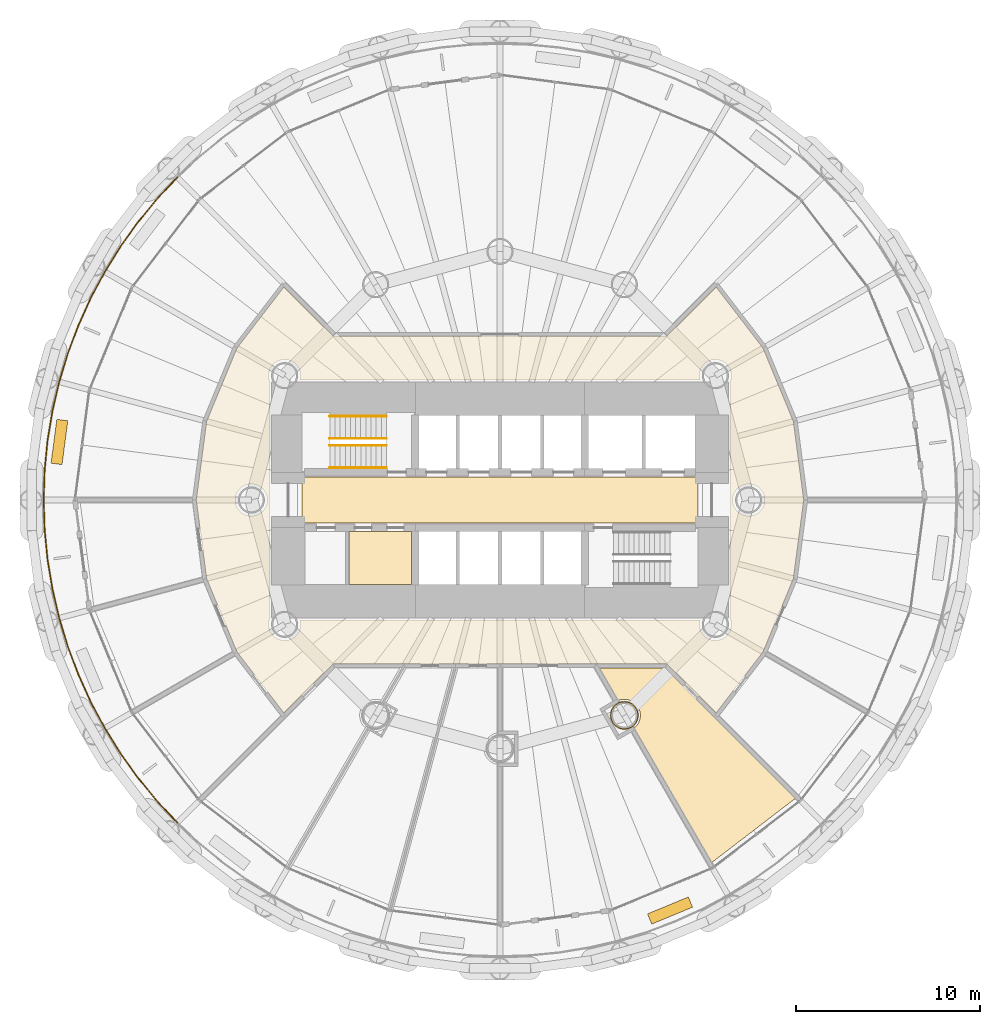
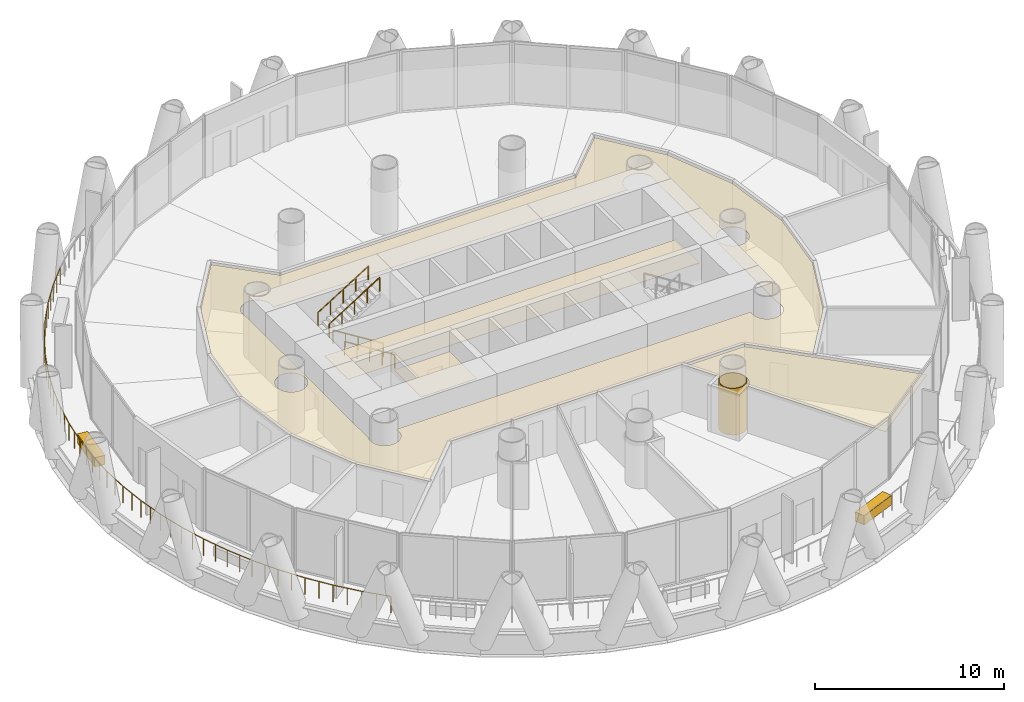
# One storey, part 14 of 16: 7 coverings, 5 railings.
"""IFC4 building model written with IfcOpenShell, lengths in metres."""

from ifc_helpers import new_model, si_unit, direction, frame, origin, origin_2d, place, context, subcontext, project, spatial, polyline, rectangle, circle, outline, extrude, material, layer, layer_set, type_object, element, save


model = new_model("IFC4")

# Units and contexts
model_context = context("Model", 3, precision=1e-05, world=origin(), true_north=direction((0.0, 1.0)))
body_context = subcontext(model_context, "Body", "Model", "MODEL_VIEW")
ifc_project = project(units=[si_unit("LENGTHUNIT", "METRE"), si_unit("AREAUNIT", "SQUARE_METRE"), si_unit("VOLUMEUNIT", "CUBIC_METRE"), si_unit("PLANEANGLEUNIT", "RADIAN"), si_unit("MASSUNIT", "GRAM", prefix="KILO")], contexts=[model_context])

# Site, building, storey
site_placement = place(None, origin())
site = spatial("IfcSite", under=ifc_project, at=site_placement, CompositionType="ELEMENT")
building_placement = place(site_placement, origin())
building = spatial("IfcBuilding", under=site, at=building_placement, Name="Qaws Media Tower", CompositionType="ELEMENT")
storey_placement = place(building_placement, frame((0.0, 0.0, 89.0)))
storey = spatial("IfcBuildingStorey", under=building, at=storey_placement, Name="L19", CompositionType="ELEMENT", Elevation=89.0)

# Railing
ifc_material_1 = material(Name="Stainless steel and glass guard", Category="steel")
railing_type_1 = type_object("IfcRailingType", Name="Balcony guard 1100", PredefinedType="GUARDRAIL", material=ifc_material_1)
railing_placement = place(storey_placement, frame((42.4814453125, 67.5185546875, 0.0)))
element("IfcRailing", 1, at=railing_placement, inside=storey, type_object=railing_type_1, Name="GR1 balcony guard L19-2", PredefinedType="GUARDRAIL", context=body_context, shape_type="SweptSolid", body=[
    extrude(circle(Radius=0.02392578125, at=origin_2d()), frame((0.0, 0.0, 1.076171875), z_axis=(-0.683535271096, -0.729917483807, 0.0), x_axis=(0.729917483807, -0.683535271096, 0.0)), (0.0, 0.0, 1.0), 1.62109375),
    extrude(circle(Radius=0.02392578125, at=origin_2d()), frame((-1.108154296875, -1.183349609375, 1.076171875), z_axis=(-0.634434295039, -0.772976794786, 0.0), x_axis=(0.772976794786, -0.634434295039, 0.0)), (0.0, 0.0, 1.0), 1.621337890625),
    extrude(circle(Radius=0.02392578125, at=origin_2d()), frame((-2.13671875, -2.4365234375, 1.076171875), z_axis=(-0.582462563942, -0.81285752848, 0.0), x_axis=(0.81285752848, -0.582462563942, 0.0)), (0.0, 0.0, 1.0), 1.621337890625),
    extrude(circle(Radius=0.02392578125, at=origin_2d()), frame((-3.0810546875, -3.75439453125, 1.076171875), z_axis=(-0.528116117163, -0.849172165578, 0.0), x_axis=(0.849172165578, -0.528116117163, 0.0)), (0.0, 0.0, 1.0), 1.621337890625),
    extrude(circle(Radius=0.02392578125, at=origin_2d()), frame((-3.937255859375, -5.131103515625, 1.076171875), z_axis=(-0.471385349721, -0.881927350788, 0.0), x_axis=(0.881927350788, -0.471385349721, 0.0)), (0.0, 0.0, 1.0), 1.62109375),
    extrude(circle(Radius=0.02392578125, at=origin_2d()), frame((-4.701416015625, -6.560791015625, 1.076171875), z_axis=(-0.412736233109, -0.910850592512, 0.0), x_axis=(0.910850592512, -0.412736233109, 0.0)), (0.0, 0.0, 1.0), 1.621337890625),
    extrude(circle(Radius=0.02392578125, at=origin_2d()), frame((-5.37060546875, -8.03759765625, 1.076171875), z_axis=(-0.352228895187, -0.93591388781, 0.0), x_axis=(0.93591388781, -0.352228895187, 0.0)), (0.0, 0.0, 1.0), 1.621337890625),
    extrude(circle(Radius=0.02392578125, at=origin_2d()), frame((-5.941650390625, -9.554931640625, 1.076171875), z_axis=(-0.290358482258, -0.956917944121, 0.0), x_axis=(0.956917944121, -0.290358482258, 0.0)), (0.0, 0.0, 1.0), 1.62109375),
    extrude(circle(Radius=0.02392578125, at=origin_2d()), frame((-6.412353515625, -11.106201171875, 1.076171875), z_axis=(-0.227058258382, -0.973881177198, 0.0), x_axis=(0.973881177198, -0.227058258382, 0.0)), (0.0, 0.0, 1.0), 1.621337890625),
    extrude(circle(Radius=0.02392578125, at=origin_2d()), frame((-6.780517578125, -12.685302734375, 1.076171875), z_axis=(-0.162811245678, -0.986657234444, 0.0), x_axis=(0.986657234444, -0.162811245678, 0.0)), (0.0, 0.0, 1.0), 1.62109375),
    extrude(circle(Radius=0.02392578125, at=origin_2d()), frame((-7.04443359375, -14.28466796875, 1.076171875), z_axis=(-0.09802762667, -0.995183693802, 0.0), x_axis=(0.995183693802, -0.09802762667, 0.0)), (0.0, 0.0, 1.0), 1.621337890625),
    extrude(circle(Radius=0.02392578125, at=origin_2d()), frame((-7.203369140625, -15.898193359375, 1.076171875), z_axis=(-0.032678033284, -0.999465930455, 0.0), x_axis=(0.999465930455, -0.032678033284, 0.0)), (0.0, 0.0, 1.0), 1.621337890625),
    extrude(circle(Radius=0.02392578125, at=origin_2d()), frame((-7.25634765625, -17.5185546875, 1.076171875), z_axis=(0.032678033284, -0.999465930455, 0.0), x_axis=(0.999465930455, 0.032678033284, 0.0)), (0.0, 0.0, 1.0), 1.621337890625),
    extrude(circle(Radius=0.02392578125, at=origin_2d()), frame((-7.203369140625, -19.138916015625, 1.076171875), z_axis=(0.09802762667, -0.995183693802, 0.0), x_axis=(0.995183693802, 0.09802762667, 0.0)), (0.0, 0.0, 1.0), 1.621337890625),
    extrude(circle(Radius=0.02392578125, at=origin_2d()), frame((-7.04443359375, -20.75244140625, 1.076171875), z_axis=(0.162811245678, -0.986657234444, 0.0), x_axis=(0.986657234444, 0.162811245678, 0.0)), (0.0, 0.0, 1.0), 1.62109375),
    extrude(circle(Radius=0.02392578125, at=origin_2d()), frame((-6.780517578125, -22.351806640625, 1.076171875), z_axis=(0.227058258382, -0.973881177198, 0.0), x_axis=(0.973881177198, 0.227058258382, 0.0)), (0.0, 0.0, 1.0), 1.621337890625),
    extrude(circle(Radius=0.02392578125, at=origin_2d()), frame((-6.412353515625, -23.930908203125, 1.076171875), z_axis=(0.290358482258, -0.956917944121, 0.0), x_axis=(0.956917944121, 0.290358482258, 0.0)), (0.0, 0.0, 1.0), 1.62109375),
    extrude(circle(Radius=0.02392578125, at=origin_2d()), frame((-5.941650390625, -25.482177734375, 1.076171875), z_axis=(0.352228895187, -0.93591388781, 0.0), x_axis=(0.93591388781, 0.352228895187, 0.0)), (0.0, 0.0, 1.0), 1.621337890625),
    extrude(circle(Radius=0.02392578125, at=origin_2d()), frame((-5.37060546875, -26.99951171875, 1.076171875), z_axis=(0.412736233109, -0.910850592512, 0.0), x_axis=(0.910850592512, 0.412736233109, 0.0)), (0.0, 0.0, 1.0), 1.621337890625),
    extrude(circle(Radius=0.02392578125, at=origin_2d()), frame((-4.701416015625, -28.476318359375, 1.076171875), z_axis=(0.471385349721, -0.881927350788, 0.0), x_axis=(0.881927350788, 0.471385349721, 0.0)), (0.0, 0.0, 1.0), 1.62109375),
    extrude(circle(Radius=0.02392578125, at=origin_2d()), frame((-3.937255859375, -29.906005859375, 1.076171875), z_axis=(0.528116117163, -0.849172165578, 0.0), x_axis=(0.849172165578, 0.528116117163, 0.0)), (0.0, 0.0, 1.0), 1.621337890625),
    extrude(circle(Radius=0.02392578125, at=origin_2d()), frame((-3.0810546875, -31.28271484375, 1.076171875), z_axis=(0.582462563942, -0.81285752848, 0.0), x_axis=(0.81285752848, 0.582462563942, 0.0)), (0.0, 0.0, 1.0), 1.621337890625),
    extrude(circle(Radius=0.02392578125, at=origin_2d()), frame((-2.13671875, -32.6005859375, 1.076171875), z_axis=(0.634434295039, -0.772976794786, 0.0), x_axis=(0.772976794786, 0.634434295039, 0.0)), (0.0, 0.0, 1.0), 1.621337890625),
    extrude(circle(Radius=0.02392578125, at=origin_2d()), frame((-1.108154296875, -33.853759765625, 1.076171875), z_axis=(0.683535271096, -0.729917483807, 0.0), x_axis=(0.729917483807, 0.683535271096, 0.0)), (0.0, 0.0, 1.0), 1.62109375),
    extrude(circle(Radius=0.02099609375, at=origin_2d()), origin(), (0.0, 0.0, 1.0), 1.052001953125),
    extrude(circle(Radius=0.02099609375, at=origin_2d()), frame((-0.55419921875, -0.591796875, 0.0)), (0.0, 0.0, 1.0), 1.052001953125),
    extrude(circle(Radius=0.02099609375, at=origin_2d()), frame((-1.108154296875, -1.183349609375, 0.0)), (0.0, 0.0, 1.0), 1.052001953125),
    extrude(circle(Radius=0.02099609375, at=origin_2d()), frame((-1.62255859375, -1.81005859375, 0.0)), (0.0, 0.0, 1.0), 1.052001953125),
    extrude(circle(Radius=0.02099609375, at=origin_2d()), frame((-2.13671875, -2.4365234375, 0.0)), (0.0, 0.0, 1.0), 1.052001953125),
    extrude(circle(Radius=0.02099609375, at=origin_2d()), frame((-2.60888671875, -3.095458984375, 0.0)), (0.0, 0.0, 1.0), 1.052001953125),
    extrude(circle(Radius=0.02099609375, at=origin_2d()), frame((-3.0810546875, -3.75439453125, 0.0)), (0.0, 0.0, 1.0), 1.052001953125),
    extrude(circle(Radius=0.02099609375, at=origin_2d()), frame((-3.50927734375, -4.44287109375, 0.0)), (0.0, 0.0, 1.0), 1.052001953125),
    extrude(circle(Radius=0.02099609375, at=origin_2d()), frame((-3.937255859375, -5.131103515625, 0.0)), (0.0, 0.0, 1.0), 1.052001953125),
    extrude(circle(Radius=0.02099609375, at=origin_2d()), frame((-4.3193359375, -5.845947265625, 0.0)), (0.0, 0.0, 1.0), 1.052001953125),
    extrude(circle(Radius=0.02099609375, at=origin_2d()), frame((-4.701416015625, -6.560791015625, 0.0)), (0.0, 0.0, 1.0), 1.052001953125),
    extrude(circle(Radius=0.02099609375, at=origin_2d()), frame((-5.0361328125, -7.29931640625, 0.0)), (0.0, 0.0, 1.0), 1.052001953125),
    extrude(circle(Radius=0.02099609375, at=origin_2d()), frame((-5.37060546875, -8.03759765625, 0.0)), (0.0, 0.0, 1.0), 1.052001953125),
    extrude(circle(Radius=0.02099609375, at=origin_2d()), frame((-5.65625, -8.79638671875, 0.0)), (0.0, 0.0, 1.0), 1.052001953125),
    extrude(circle(Radius=0.02099609375, at=origin_2d()), frame((-5.941650390625, -9.554931640625, 0.0)), (0.0, 0.0, 1.0), 1.052001953125),
    extrude(circle(Radius=0.02099609375, at=origin_2d()), frame((-6.177001953125, -10.33056640625, 0.0)), (0.0, 0.0, 1.0), 1.052001953125),
    extrude(circle(Radius=0.02099609375, at=origin_2d()), frame((-6.412353515625, -11.106201171875, 0.0)), (0.0, 0.0, 1.0), 1.052001953125),
    extrude(circle(Radius=0.02099609375, at=origin_2d()), frame((-6.596435546875, -11.895751953125, 0.0)), (0.0, 0.0, 1.0), 1.052001953125),
    extrude(circle(Radius=0.02099609375, at=origin_2d()), frame((-6.780517578125, -12.685302734375, 0.0)), (0.0, 0.0, 1.0), 1.052001953125),
    extrude(circle(Radius=0.02099609375, at=origin_2d()), frame((-6.91259765625, -13.48486328125, 0.0)), (0.0, 0.0, 1.0), 1.052001953125),
    extrude(circle(Radius=0.02099609375, at=origin_2d()), frame((-7.04443359375, -14.28466796875, 0.0)), (0.0, 0.0, 1.0), 1.052001953125),
    extrude(circle(Radius=0.02099609375, at=origin_2d()), frame((-7.1240234375, -15.09130859375, 0.0)), (0.0, 0.0, 1.0), 1.052001953125),
    extrude(circle(Radius=0.02099609375, at=origin_2d()), frame((-7.203369140625, -15.898193359375, 0.0)), (0.0, 0.0, 1.0), 1.052001953125),
    extrude(circle(Radius=0.02099609375, at=origin_2d()), frame((-7.22998046875, -16.70849609375, 0.0)), (0.0, 0.0, 1.0), 1.052001953125),
    extrude(circle(Radius=0.02099609375, at=origin_2d()), frame((-7.25634765625, -17.5185546875, 0.0)), (0.0, 0.0, 1.0), 1.052001953125),
    extrude(circle(Radius=0.02099609375, at=origin_2d()), frame((-7.22998046875, -18.32861328125, 0.0)), (0.0, 0.0, 1.0), 1.052001953125),
    extrude(circle(Radius=0.02099609375, at=origin_2d()), frame((-7.203369140625, -19.138916015625, 0.0)), (0.0, 0.0, 1.0), 1.052001953125),
    extrude(circle(Radius=0.02099609375, at=origin_2d()), frame((-7.1240234375, -19.94580078125, 0.0)), (0.0, 0.0, 1.0), 1.052001953125),
    extrude(circle(Radius=0.02099609375, at=origin_2d()), frame((-7.04443359375, -20.75244140625, 0.0)), (0.0, 0.0, 1.0), 1.052001953125),
    extrude(circle(Radius=0.02099609375, at=origin_2d()), frame((-6.91259765625, -21.55224609375, 0.0)), (0.0, 0.0, 1.0), 1.052001953125),
    extrude(circle(Radius=0.02099609375, at=origin_2d()), frame((-6.780517578125, -22.351806640625, 0.0)), (0.0, 0.0, 1.0), 1.052001953125),
    extrude(circle(Radius=0.02099609375, at=origin_2d()), frame((-6.596435546875, -23.141357421875, 0.0)), (0.0, 0.0, 1.0), 1.052001953125),
    extrude(circle(Radius=0.02099609375, at=origin_2d()), frame((-6.412353515625, -23.930908203125, 0.0)), (0.0, 0.0, 1.0), 1.052001953125),
    extrude(circle(Radius=0.02099609375, at=origin_2d()), frame((-6.177001953125, -24.70654296875, 0.0)), (0.0, 0.0, 1.0), 1.052001953125),
    extrude(circle(Radius=0.02099609375, at=origin_2d()), frame((-5.941650390625, -25.482177734375, 0.0)), (0.0, 0.0, 1.0), 1.052001953125),
    extrude(circle(Radius=0.02099609375, at=origin_2d()), frame((-5.65625, -26.24072265625, 0.0)), (0.0, 0.0, 1.0), 1.052001953125),
    extrude(circle(Radius=0.02099609375, at=origin_2d()), frame((-5.37060546875, -26.99951171875, 0.0)), (0.0, 0.0, 1.0), 1.052001953125),
    extrude(circle(Radius=0.02099609375, at=origin_2d()), frame((-5.0361328125, -27.73779296875, 0.0)), (0.0, 0.0, 1.0), 1.052001953125),
    extrude(circle(Radius=0.02099609375, at=origin_2d()), frame((-4.701416015625, -28.476318359375, 0.0)), (0.0, 0.0, 1.0), 1.052001953125),
    extrude(circle(Radius=0.02099609375, at=origin_2d()), frame((-4.3193359375, -29.191162109375, 0.0)), (0.0, 0.0, 1.0), 1.052001953125),
    extrude(circle(Radius=0.02099609375, at=origin_2d()), frame((-3.937255859375, -29.906005859375, 0.0)), (0.0, 0.0, 1.0), 1.052001953125),
    extrude(circle(Radius=0.02099609375, at=origin_2d()), frame((-3.50927734375, -30.59423828125, 0.0)), (0.0, 0.0, 1.0), 1.052001953125),
    extrude(circle(Radius=0.02099609375, at=origin_2d()), frame((-3.0810546875, -31.28271484375, 0.0)), (0.0, 0.0, 1.0), 1.052001953125),
    extrude(circle(Radius=0.02099609375, at=origin_2d()), frame((-2.60888671875, -31.941650390625, 0.0)), (0.0, 0.0, 1.0), 1.052001953125),
    extrude(circle(Radius=0.02099609375, at=origin_2d()), frame((-2.13671875, -32.6005859375, 0.0)), (0.0, 0.0, 1.0), 1.052001953125),
    extrude(circle(Radius=0.02099609375, at=origin_2d()), frame((-1.62255859375, -33.22705078125, 0.0)), (0.0, 0.0, 1.0), 1.052001953125),
    extrude(circle(Radius=0.02099609375, at=origin_2d()), frame((-1.108154296875, -33.853759765625, 0.0)), (0.0, 0.0, 1.0), 1.052001953125),
    extrude(circle(Radius=0.02099609375, at=origin_2d()), frame((-0.55419921875, -34.4453125, 0.0)), (0.0, 0.0, 1.0), 1.052001953125),
    extrude(circle(Radius=0.02099609375, at=origin_2d()), frame((0.0, -35.037109375, 0.0)), (0.0, 0.0, 1.0), 1.052001953125),
])

# Coverings
ifc_material_2 = material(Name="Two layers 15 fire-rated gypsum board on steel framing", Category="steel")
ifc_layer_1 = layer(ifc_material_2, 0.050048828125)
ifc_layer_set_1 = layer_set([ifc_layer_1], Name="Column fire casing")
covering_type_1 = type_object("IfcCoveringType", Name="Column fire casing", PredefinedType="CLADDING", material=ifc_layer_set_1)
covering_1_placement = place(storey_placement, origin())
element("IfcCovering", 2, at=covering_1_placement, inside=storey, type_object=covering_type_1, Name="CC1 column casing L19", PredefinedType="CLADDING", context=body_context, shape_type="SweptSolid", body=[
    extrude(outline(polyline([(67.51611328125, 38.30859375), (67.509521484375, 38.208740234375), (67.489990234375, 38.1103515625), (67.457763671875, 38.015380859375), (67.413330078125, 37.92578125), (67.357666015625, 37.84228515625), (67.29150390625, 37.76708984375), (67.21630859375, 37.700927734375), (67.133056640625, 37.645263671875), (67.043212890625, 37.60107421875), (66.9482421875, 37.56884765625), (66.85009765625, 37.54931640625), (66.75, 37.542724609375), (66.64990234375, 37.54931640625), (66.5517578125, 37.56884765625), (66.456787109375, 37.60107421875), (66.366943359375, 37.645263671875), (66.28369140625, 37.700927734375), (66.20849609375, 37.76708984375), (66.142333984375, 37.84228515625), (66.086669921875, 37.92578125), (66.042236328125, 38.015380859375), (66.010009765625, 38.1103515625), (65.990478515625, 38.208740234375), (65.98388671875, 38.30859375), (65.990478515625, 38.40869140625), (66.010009765625, 38.5068359375), (66.042236328125, 38.601806640625), (66.086669921875, 38.691650390625), (66.142333984375, 38.77490234375), (66.20849609375, 38.850341796875), (66.28369140625, 38.91650390625), (66.366943359375, 38.971923828125), (66.456787109375, 39.016357421875), (66.5517578125, 39.048583984375), (66.64990234375, 39.068115234375), (66.75, 39.07470703125), (66.85009765625, 39.068115234375), (66.9482421875, 39.048583984375), (67.043212890625, 39.016357421875), (67.133056640625, 38.971923828125), (67.21630859375, 38.91650390625), (67.29150390625, 38.850341796875), (67.357666015625, 38.77490234375), (67.413330078125, 38.691650390625), (67.457763671875, 38.601806640625), (67.489990234375, 38.5068359375), (67.509521484375, 38.40869140625), (67.51611328125, 38.30859375)]), holes=[polyline([(67.464111328125, 38.30859375), (67.4580078125, 38.215576171875), (67.439697265625, 38.123779296875), (67.40966796875, 38.035400390625), (67.368408203125, 37.95166015625), (67.31640625, 37.8740234375), (67.2548828125, 37.8037109375), (67.184814453125, 37.7421875), (67.10693359375, 37.690185546875), (67.023193359375, 37.64892578125), (66.934814453125, 37.618896484375), (66.84326171875, 37.600830078125), (66.75, 37.5947265625), (66.65673828125, 37.600830078125), (66.565185546875, 37.618896484375), (66.476806640625, 37.64892578125), (66.39306640625, 37.690185546875), (66.315185546875, 37.7421875), (66.2451171875, 37.8037109375), (66.18359375, 37.8740234375), (66.131591796875, 37.95166015625), (66.09033203125, 38.035400390625), (66.060302734375, 38.123779296875), (66.0419921875, 38.215576171875), (66.035888671875, 38.30859375), (66.0419921875, 38.40185546875), (66.060302734375, 38.493408203125), (66.09033203125, 38.581787109375), (66.131591796875, 38.665771484375), (66.18359375, 38.743408203125), (66.2451171875, 38.8134765625), (66.315185546875, 38.875), (66.39306640625, 38.927001953125), (66.476806640625, 38.96826171875), (66.565185546875, 38.998291015625), (66.65673828125, 39.0166015625), (66.75, 39.022705078125), (66.84326171875, 39.0166015625), (66.934814453125, 38.998291015625), (67.023193359375, 38.96826171875), (67.10693359375, 38.927001953125), (67.184814453125, 38.875), (67.2548828125, 38.8134765625), (67.31640625, 38.743408203125), (67.368408203125, 38.665771484375), (67.40966796875, 38.581787109375), (67.439697265625, 38.493408203125), (67.4580078125, 38.40185546875), (67.464111328125, 38.30859375)])]), origin(), (0.0, 0.0, 1.0), 3.02001953125),
])
ifc_material_3 = material(Name="600 x 600 mineral fibre tiles in exposed grid, suspended", Category="mineral fibre")
ifc_layer_2 = layer(ifc_material_3, 0.02001953125)
ifc_layer_set_2 = layer_set([ifc_layer_2], Name="Mineral fibre tile ceiling 20")
covering_type_2 = type_object("IfcCoveringType", Name="Mineral fibre tile ceiling 20", PredefinedType="CEILING", material=ifc_layer_set_2)
covering_2_placement = place(storey_placement, frame((0.0, 0.0, 2.85009765625)))
element("IfcCovering", 3, at=covering_2_placement, inside=storey, type_object=covering_type_2, Name="CL1 ceiling L19-01 Corridor", PredefinedType="CEILING", context=body_context, shape_type="SweptSolid", body=[
    extrude(outline(polyline([(44.0751953125, 45.73291015625), (43.513427734375, 50.0), (44.0751953125, 54.26708984375), (45.72216796875, 58.243408203125), (48.273193359375, 61.567626953125), (50.953369140625, 58.887451171875), (69.046630859375, 58.887451171875), (71.726806640625, 61.567626953125), (74.27783203125, 58.243408203125), (75.9248046875, 54.26708984375), (76.486572265625, 50.0), (75.9248046875, 45.73291015625), (74.27783203125, 41.756591796875), (71.726806640625, 38.432373046875), (69.046630859375, 41.112548828125), (50.953369140625, 41.112548828125), (48.273193359375, 38.432373046875), (45.72216796875, 41.756591796875), (44.0751953125, 45.73291015625)]), holes=[polyline([(49.14599609375, 56.512451171875), (49.14990234375, 56.524658203125), (49.172119140625, 56.63623046875), (49.1796875, 56.75), (49.172119140625, 56.86376953125), (49.14990234375, 56.975341796875), (49.11328125, 57.083251953125), (49.06298828125, 57.185546875), (48.999755859375, 57.2802734375), (48.924560546875, 57.365966796875), (48.8388671875, 57.44091796875), (48.744140625, 57.50439453125), (48.64208984375, 57.5546875), (48.5341796875, 57.59130859375), (48.42236328125, 57.613525390625), (48.30859375, 57.62109375), (48.195068359375, 57.613525390625), (48.083251953125, 57.59130859375), (47.975341796875, 57.5546875), (47.873291015625, 57.50439453125), (47.7783203125, 57.44091796875), (47.69287109375, 57.365966796875), (47.61767578125, 57.2802734375), (47.55419921875, 57.185546875), (47.50390625, 57.083251953125), (47.46728515625, 56.975341796875), (47.445068359375, 56.86376953125), (47.437744140625, 56.75), (47.445068359375, 56.63623046875), (47.46728515625, 56.524658203125), (47.487548828125, 56.465087890625), (47.487548828125, 43.534912109375), (47.46728515625, 43.475341796875), (47.445068359375, 43.36376953125), (47.437744140625, 43.25), (47.445068359375, 43.13623046875), (47.46728515625, 43.024658203125), (47.50390625, 42.916748046875), (47.55419921875, 42.814453125), (47.61767578125, 42.7197265625), (47.69287109375, 42.634033203125), (47.7783203125, 42.55908203125), (47.873291015625, 42.49560546875), (47.975341796875, 42.4453125), (48.083251953125, 42.40869140625), (48.195068359375, 42.386474609375), (48.30859375, 42.37890625), (48.42236328125, 42.386474609375), (48.5341796875, 42.40869140625), (48.64208984375, 42.4453125), (48.744140625, 42.49560546875), (48.8388671875, 42.55908203125), (48.924560546875, 42.634033203125), (48.999755859375, 42.7197265625), (49.06298828125, 42.814453125), (49.11328125, 42.916748046875), (49.14990234375, 43.024658203125), (49.172119140625, 43.13623046875), (49.1796875, 43.25), (49.172119140625, 43.36376953125), (49.14990234375, 43.475341796875), (49.14599609375, 43.487548828125), (70.85400390625, 43.487548828125), (70.85009765625, 43.475341796875), (70.827880859375, 43.36376953125), (70.8203125, 43.25), (70.827880859375, 43.13623046875), (70.85009765625, 43.024658203125), (70.88671875, 42.916748046875), (70.93701171875, 42.814453125), (71.000244140625, 42.7197265625), (71.075439453125, 42.634033203125), (71.1611328125, 42.55908203125), (71.255859375, 42.49560546875), (71.35791015625, 42.4453125), (71.4658203125, 42.40869140625), (71.57763671875, 42.386474609375), (71.69140625, 42.37890625), (71.804931640625, 42.386474609375), (71.916748046875, 42.40869140625), (72.024658203125, 42.4453125), (72.126708984375, 42.49560546875), (72.2216796875, 42.55908203125), (72.30712890625, 42.634033203125), (72.38232421875, 42.7197265625), (72.44580078125, 42.814453125), (72.49609375, 42.916748046875), (72.53271484375, 43.024658203125), (72.554931640625, 43.13623046875), (72.562255859375, 43.25), (72.554931640625, 43.36376953125), (72.53271484375, 43.475341796875), (72.512451171875, 43.534912109375), (72.512451171875, 56.465087890625), (72.53271484375, 56.524658203125), (72.554931640625, 56.63623046875), (72.562255859375, 56.75), (72.554931640625, 56.86376953125), (72.53271484375, 56.975341796875), (72.49609375, 57.083251953125), (72.44580078125, 57.185546875), (72.38232421875, 57.2802734375), (72.30712890625, 57.365966796875), (72.2216796875, 57.44091796875), (72.126708984375, 57.50439453125), (72.024658203125, 57.5546875), (71.916748046875, 57.59130859375), (71.804931640625, 57.613525390625), (71.69140625, 57.62109375), (71.57763671875, 57.613525390625), (71.4658203125, 57.59130859375), (71.35791015625, 57.5546875), (71.255859375, 57.50439453125), (71.1611328125, 57.44091796875), (71.075439453125, 57.365966796875), (71.000244140625, 57.2802734375), (70.93701171875, 57.185546875), (70.88671875, 57.083251953125), (70.85009765625, 56.975341796875), (70.827880859375, 56.86376953125), (70.8203125, 56.75), (70.827880859375, 56.63623046875), (70.85009765625, 56.524658203125), (70.85400390625, 56.512451171875), (49.14599609375, 56.512451171875)]), polyline([(47.3046875, 49.666748046875), (47.34130859375, 49.774658203125), (47.363525390625, 49.88623046875), (47.37109375, 50.0), (47.363525390625, 50.11376953125), (47.34130859375, 50.225341796875), (47.3046875, 50.333251953125), (47.25439453125, 50.435546875), (47.19091796875, 50.5302734375), (47.115966796875, 50.615966796875), (47.0302734375, 50.69091796875), (46.935546875, 50.75439453125), (46.833251953125, 50.8046875), (46.725341796875, 50.84130859375), (46.61376953125, 50.863525390625), (46.5, 50.87109375), (46.38623046875, 50.863525390625), (46.274658203125, 50.84130859375), (46.166748046875, 50.8046875), (46.064453125, 50.75439453125), (45.9697265625, 50.69091796875), (45.884033203125, 50.615966796875), (45.80908203125, 50.5302734375), (45.74560546875, 50.435546875), (45.6953125, 50.333251953125), (45.65869140625, 50.225341796875), (45.636474609375, 50.11376953125), (45.62890625, 50.0), (45.636474609375, 49.88623046875), (45.65869140625, 49.774658203125), (45.6953125, 49.666748046875), (45.74560546875, 49.564453125), (45.80908203125, 49.4697265625), (45.884033203125, 49.384033203125), (45.9697265625, 49.30908203125), (46.064453125, 49.24560546875), (46.166748046875, 49.1953125), (46.274658203125, 49.15869140625), (46.38623046875, 49.136474609375), (46.5, 49.12890625), (46.61376953125, 49.136474609375), (46.725341796875, 49.15869140625), (46.833251953125, 49.1953125), (46.935546875, 49.24560546875), (47.0302734375, 49.30908203125), (47.115966796875, 49.384033203125), (47.19091796875, 49.4697265625), (47.25439453125, 49.564453125), (47.3046875, 49.666748046875)]), polyline([(74.34130859375, 49.774658203125), (74.363525390625, 49.88623046875), (74.37109375, 50.0), (74.363525390625, 50.11376953125), (74.34130859375, 50.225341796875), (74.3046875, 50.333251953125), (74.25439453125, 50.435546875), (74.19091796875, 50.5302734375), (74.115966796875, 50.615966796875), (74.0302734375, 50.69091796875), (73.935546875, 50.75439453125), (73.833251953125, 50.8046875), (73.725341796875, 50.84130859375), (73.61376953125, 50.863525390625), (73.5, 50.87109375), (73.38623046875, 50.863525390625), (73.274658203125, 50.84130859375), (73.166748046875, 50.8046875), (73.064453125, 50.75439453125), (72.9697265625, 50.69091796875), (72.884033203125, 50.615966796875), (72.80908203125, 50.5302734375), (72.74560546875, 50.435546875), (72.6953125, 50.333251953125), (72.65869140625, 50.225341796875), (72.636474609375, 50.11376953125), (72.62890625, 50.0), (72.636474609375, 49.88623046875), (72.65869140625, 49.774658203125), (72.6953125, 49.666748046875), (72.74560546875, 49.564453125), (72.80908203125, 49.4697265625), (72.884033203125, 49.384033203125), (72.9697265625, 49.30908203125), (73.064453125, 49.24560546875), (73.166748046875, 49.1953125), (73.274658203125, 49.15869140625), (73.38623046875, 49.136474609375), (73.5, 49.12890625), (73.61376953125, 49.136474609375), (73.725341796875, 49.15869140625), (73.833251953125, 49.1953125), (73.935546875, 49.24560546875), (74.0302734375, 49.30908203125), (74.115966796875, 49.384033203125), (74.19091796875, 49.4697265625), (74.25439453125, 49.564453125), (74.3046875, 49.666748046875), (74.34130859375, 49.774658203125)])]), origin(), (0.0, 0.0, 1.0), 0.02001953125),
])
covering_3_placement = place(storey_placement, frame((0.0, 0.0, 2.85009765625)))
element("IfcCovering", 4, at=covering_3_placement, inside=storey, type_object=covering_type_2, Name="CL1 ceiling L19-10 Gents toilets", PredefinedType="CEILING", context=body_context, shape_type="SweptSolid", body=[
    extrude(outline(polyline([(71.4951171875, 30.314697265625), (67.279296875, 37.616943359375), (67.365966796875, 37.69287109375), (67.44091796875, 37.7783203125), (67.50439453125, 37.873291015625), (67.5546875, 37.975341796875), (67.59130859375, 38.083251953125), (67.613525390625, 38.195068359375), (67.62109375, 38.30859375), (67.613525390625, 38.42236328125), (67.59130859375, 38.5341796875), (67.5546875, 38.64208984375), (67.50439453125, 38.744140625), (67.44091796875, 38.8388671875), (67.365966796875, 38.924560546875), (67.2802734375, 38.999755859375), (67.185546875, 39.06298828125), (67.083251953125, 39.11328125), (66.975341796875, 39.14990234375), (66.86376953125, 39.172119140625), (66.75, 39.1796875), (66.63623046875, 39.172119140625), (66.524658203125, 39.14990234375), (66.41552734375, 39.11279296875), (65.39111328125, 40.887451171875), (68.953369140625, 40.887451171875), (76.039306640625, 33.8017578125), (71.4951171875, 30.314697265625)])), origin(), (0.0, 0.0, 1.0), 0.02001953125),
])
covering_4_placement = place(storey_placement, frame((0.0, 0.0, 2.85009765625)))
element("IfcCovering", 5, at=covering_4_placement, inside=storey, type_object=covering_type_2, Name="CL1 ceiling L19-C05 Shower room", PredefinedType="CEILING", context=body_context, shape_type="SweptSolid", body=[
    extrude(outline(polyline([(51.800048828125, 45.39990234375), (51.800048828125, 48.300048828125), (55.199951171875, 48.300048828125), (55.199951171875, 45.39990234375), (51.800048828125, 45.39990234375)])), origin(), (0.0, 0.0, 1.0), 0.02001953125),
])
ifc_material_4 = material(Name="Precast concrete planter with trailing planting", Category="concrete")
ifc_layer_3 = layer(ifc_material_4, 0.60009765625)
ifc_layer_set_3 = layer_set([ifc_layer_3], Name="Planter 2400x600")
covering_type_3 = type_object("IfcCoveringType", Name="Planter 2400x600", PredefinedType="USERDEFINED", material=ifc_layer_set_3)
for number, where, z_axis, x_axis, name in (
    (6, (36.081298828125, 53.14892578125, 0.0), (0.0, 0.0, 1.0), (-0.13052619222, -0.991444861374, 0.0), "PL1 balcony planter L19-06"),
    (7, (69.232177734375, 27.71142578125, 0.0), (0.0, 0.0, 1.0), (0.923879532511, 0.382683432365, 0.0), "PL1 balcony planter L19-10"),
):
    element("IfcCovering", number, at=place(storey_placement, frame(where, z_axis=z_axis, x_axis=x_axis)), inside=storey, type_object=covering_type_3, Name=name, ObjectType="PLANTER", PredefinedType="USERDEFINED", context=body_context, shape_type="SweptSolid", body=[
        extrude(rectangle(XDim=2.39990234375, YDim=0.60009765625, at=origin_2d()), origin(), (0.0, 0.0, 1.0), 0.60009765625),
    ])
ifc_material_5 = material(Name="Two layers 12.5 moisture-resistant plasterboard on suspended metal furring", Category="gypsum")
ifc_layer_4 = layer(ifc_material_5, 0.02490234375)
ifc_layer_set_4 = layer_set([ifc_layer_4], Name="Plasterboard ceiling 25")
covering_type_4 = type_object("IfcCoveringType", Name="Plasterboard ceiling 25", PredefinedType="CEILING", material=ifc_layer_set_4)
covering_5_placement = place(storey_placement, frame((0.0, 0.0, 2.85009765625)))
element("IfcCovering", 8, at=covering_5_placement, inside=storey, type_object=covering_type_4, Name="CL2 ceiling L19-C01 Lift lobby", PredefinedType="CEILING", context=body_context, shape_type="SweptSolid", body=[
    extrude(outline(polyline([(49.25, 48.75), (49.25, 51.25), (70.75, 51.25), (70.75, 48.75), (49.25, 48.75)])), origin(), (0.0, 0.0, 1.0), 0.02490234375),
])

# Railings
ifc_material_6 = material(Name="Steel tube handrail", Category="steel")
railing_type_2 = type_object("IfcRailingType", Name="Stair handrail 900", PredefinedType="HANDRAIL", material=ifc_material_6)
for number, where, name in (
    (9, (53.840087890625, 51.75, 0.175048828125), "HR1 handrail S1 flight 1 L19"),
    (10, (53.840087890625, 52.9599609375, 0.175048828125), "HR1 handrail S1 flight 1 L19"),
):
    element("IfcRailing", number, at=place(storey_placement, frame(where)), inside=storey, type_object=railing_type_2, Name=name, PredefinedType="HANDRAIL", context=body_context, shape_type="SweptSolid", body=[
        extrude(circle(Radius=0.02392578125, at=origin_2d()), frame((0.0, 0.0, 0.8759765625), z_axis=(-0.847998304005, 0.0, 0.529998940003), x_axis=(0.0, -1.0, 0.0)), (0.0, 0.0, 1.0), 3.632080078125),
        extrude(circle(Radius=0.02099609375, at=origin_2d()), origin(), (0.0, 0.0, 1.0), 0.851806640625),
        extrude(circle(Radius=0.02099609375, at=origin_2d()), frame((-0.77001953125, 0.0, 0.481201171875)), (0.0, 0.0, 1.0), 0.851806640625),
        extrude(circle(Radius=0.02099609375, at=origin_2d()), frame((-1.5400390625, 0.0, 0.96240234375)), (0.0, 0.0, 1.0), 0.851806640625),
        extrude(circle(Radius=0.02099609375, at=origin_2d()), frame((-2.31005859375, 0.0, 1.44384765625)), (0.0, 0.0, 1.0), 0.851806640625),
        extrude(circle(Radius=0.02099609375, at=origin_2d()), frame((-3.080078125, 0.0, 1.925048828125)), (0.0, 0.0, 1.0), 0.851806640625),
    ])
for number, where, name in (
    (11, (50.760009765625, 54.550048828125, 2.27490234375), "HR1 handrail S1 flight 2 L19"),
    (12, (50.760009765625, 53.340087890625, 2.27490234375), "HR1 handrail S1 flight 2 L19"),
):
    element("IfcRailing", number, at=place(storey_placement, frame(where)), inside=storey, type_object=railing_type_2, Name=name, PredefinedType="HANDRAIL", context=body_context, shape_type="SweptSolid", body=[
        extrude(circle(Radius=0.02392578125, at=origin_2d()), frame((0.0, 0.0, 0.8759765625), z_axis=(0.847998304005, 0.0, 0.529998940003), x_axis=(0.0, 1.0, 0.0)), (0.0, 0.0, 1.0), 3.632080078125),
        extrude(circle(Radius=0.02099609375, at=origin_2d()), origin(), (0.0, 0.0, 1.0), 0.851806640625),
        extrude(circle(Radius=0.02099609375, at=origin_2d()), frame((0.77001953125, 0.0, 0.481201171875)), (0.0, 0.0, 1.0), 0.851806640625),
        extrude(circle(Radius=0.02099609375, at=origin_2d()), frame((1.5400390625, 0.0, 0.96240234375)), (0.0, 0.0, 1.0), 0.851806640625),
        extrude(circle(Radius=0.02099609375, at=origin_2d()), frame((2.31005859375, 0.0, 1.44384765625)), (0.0, 0.0, 1.0), 0.851806640625),
        extrude(circle(Radius=0.02099609375, at=origin_2d()), frame((3.080078125, 0.0, 1.925048828125)), (0.0, 0.0, 1.0), 0.851806640625),
    ])

save(model, "model.ifc")
